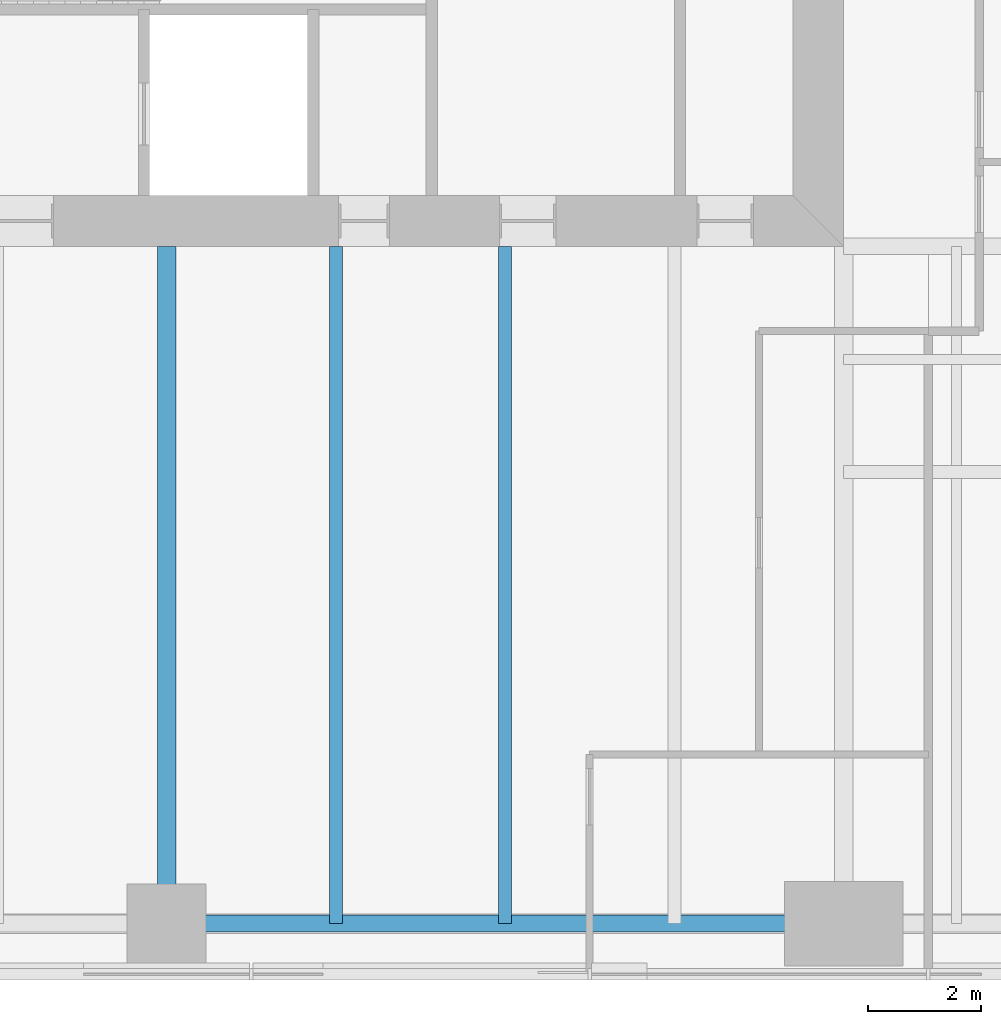
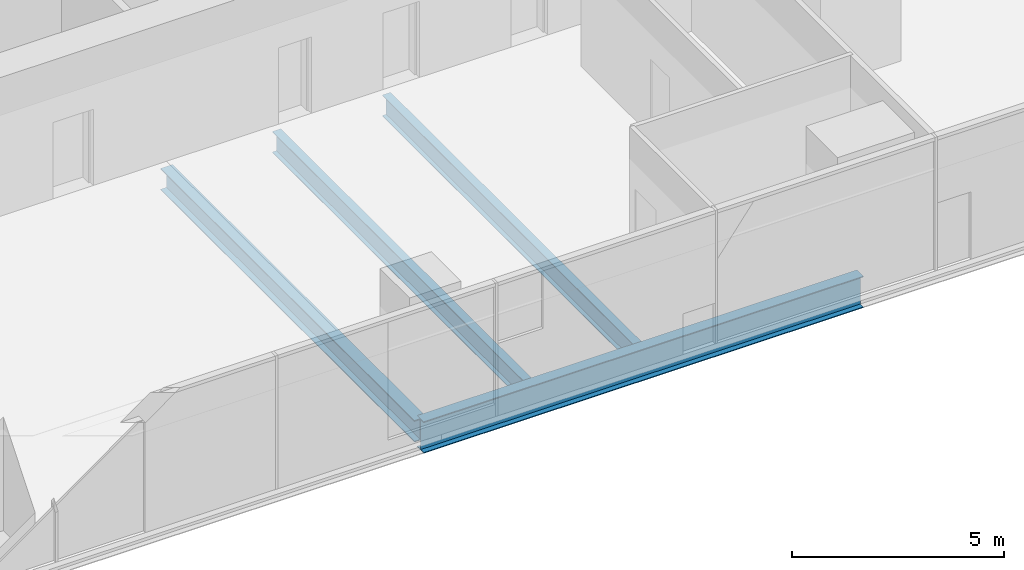
# One storey, part 3 of 14: 4 beams.
"""IFC4 building model written with IfcOpenShell, lengths in metres."""

from ifc_helpers import new_model, si_unit, direction, frame, origin, origin_2d, place, context, subcontext, project, spatial, i_section, extrude, material, material_profile, profile_set, type_object, element, save


model = new_model("IFC4")

# Units and contexts
model_context = context("Model", 3, precision=1e-05, world=origin(), true_north=direction((0.0, 1.0)))
body_context = subcontext(model_context, "Body", "Model", "MODEL_VIEW")
ifc_project = project(units=[si_unit("LENGTHUNIT", "METRE"), si_unit("AREAUNIT", "SQUARE_METRE"), si_unit("VOLUMEUNIT", "CUBIC_METRE"), si_unit("PLANEANGLEUNIT", "RADIAN"), si_unit("MASSUNIT", "GRAM", prefix="KILO")], contexts=[model_context])

# Site, building, storey
site_placement = place(None, origin())
site = spatial("IfcSite", under=ifc_project, at=site_placement, CompositionType="ELEMENT")
building_placement = place(site_placement, origin())
building = spatial("IfcBuilding", under=site, at=building_placement, Name="Fenwick Lantern Interchange", CompositionType="ELEMENT")
storey_placement = place(building_placement, frame((0.0, 0.0, 118.39990234375)))
storey = spatial("IfcBuildingStorey", under=building, at=storey_placement, Name="L27", CompositionType="ELEMENT", Elevation=118.39990234375)

# Beams
ifc_material = material(Name="Steel ASTM A992 Grade 50", Category="steel")
ifc_material_profile_1 = material_profile(ifc_material, i_section(OverallWidth=0.3046875, OverallDepth=0.911865234375, WebThickness=0.015869140625, FlangeThickness=0.02392578125, at=origin_2d()), Name="W36X150")
ifc_profile_set_1 = profile_set([ifc_material_profile_1], Name="Steel ASTM A992 Grade 50")
beam_type_1 = type_object("IfcBeamType", Name="EDGE BEAM W36X150", PredefinedType="SPANDREL", material=ifc_profile_set_1)
beam_1_placement = place(storey_placement, frame((25.0, 1.0, -0.605712890625), z_axis=(1.0, 0.0, 0.0), x_axis=(0.0, 1.0, 0.0)))
element("IfcBeam", 1, at=beam_1_placement, inside=storey, type_object=beam_type_1, Name="L27/FR/S/EB3", PredefinedType="SPANDREL", context=body_context, shape_type="SweptSolid", body=[
    extrude(i_section(OverallWidth=0.3046875, OverallDepth=0.911865234375, WebThickness=0.015869140625, FlangeThickness=0.02392578125, at=origin_2d()), origin(), (0.0, 0.0, 1.0), 12.0),
])
ifc_material_profile_2 = material_profile(ifc_material, i_section(OverallWidth=0.22900390625, OverallDepth=0.612060546875, WebThickness=0.011962890625, FlangeThickness=0.01953125, at=origin_2d()), Name="W24X84")
ifc_profile_set_2 = profile_set([ifc_material_profile_2], Name="Steel ASTM A992 Grade 50")
beam_type_2 = type_object("IfcBeamType", Name="FLOOR BEAM W24X84", PredefinedType="BEAM", material=ifc_profile_set_2)
for number, where, z_axis, x_axis, name in (
    (2, (28.0, 1.0, -0.4560546875), (0.0, 1.0, 0.0), (-1.0, 0.0, 0.0), "L27/FR/S/R06"),
    (3, (31.0, 1.0, -0.4560546875), (0.0, 1.0, 0.0), (-1.0, 0.0, 0.0), "L27/FR/S/R07"),
):
    element("IfcBeam", number, at=place(storey_placement, frame(where, z_axis=z_axis, x_axis=x_axis)), inside=storey, type_object=beam_type_2, Name=name, PredefinedType="BEAM", context=body_context, shape_type="SweptSolid", body=[
        extrude(i_section(OverallWidth=0.22900390625, OverallDepth=0.612060546875, WebThickness=0.011962890625, FlangeThickness=0.01953125, at=origin_2d()), origin(), (0.0, 0.0, 1.0), 12.0),
    ])
ifc_material_profile_3 = material_profile(ifc_material, i_section(OverallWidth=0.32763671875, OverallDepth=0.622314453125, WebThickness=0.015380859375, FlangeThickness=0.0244140625, at=origin_2d()), Name="W24X131")
ifc_profile_set_3 = profile_set([ifc_material_profile_3], Name="Steel ASTM A992 Grade 50")
beam_type_3 = type_object("IfcBeamType", Name="MOMENT-CONNECTED GIRDER W24X131", PredefinedType="BEAM", material=ifc_profile_set_3)
beam_2_placement = place(storey_placement, frame((25.0, 1.0, -0.4609375), z_axis=(0.0, 1.0, 0.0), x_axis=(-1.0, 0.0, 0.0)))
element("IfcBeam", 4, at=beam_2_placement, inside=storey, type_object=beam_type_3, Name="L27/FR/S/R05", PredefinedType="BEAM", context=body_context, shape_type="SweptSolid", body=[
    extrude(i_section(OverallWidth=0.32763671875, OverallDepth=0.622314453125, WebThickness=0.015380859375, FlangeThickness=0.0244140625, at=origin_2d()), origin(), (0.0, 0.0, 1.0), 12.0),
])

save(model, "model.ifc")
